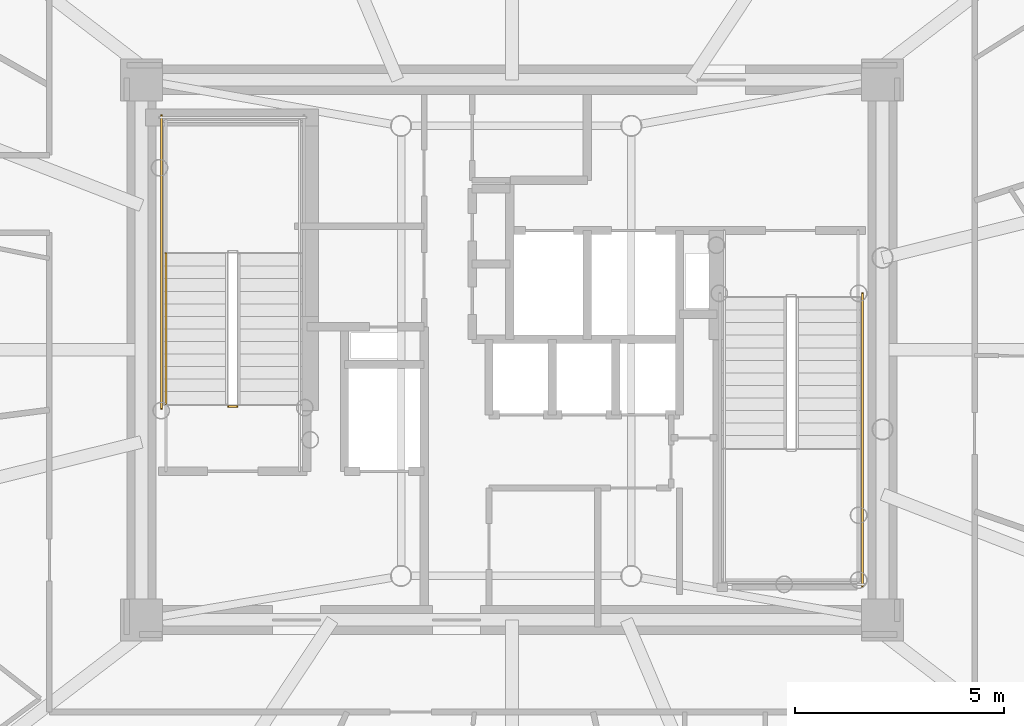
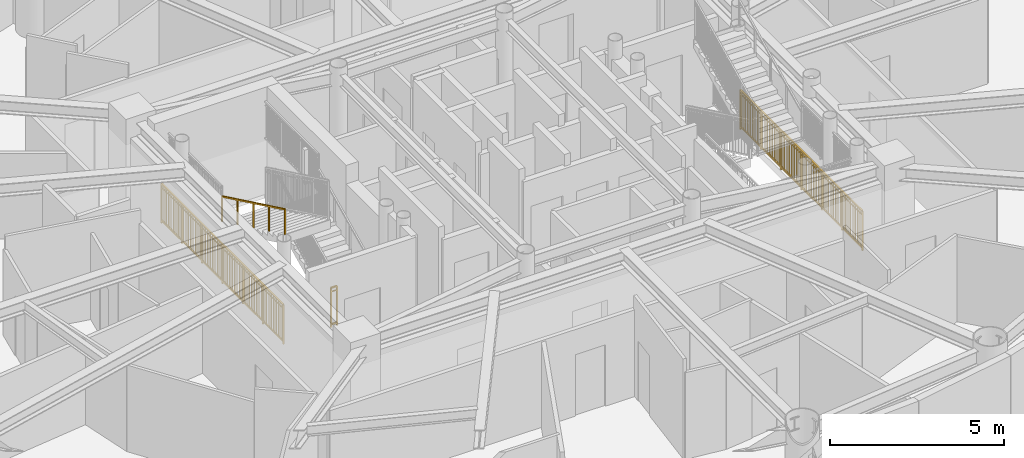
# One storey, part 12 of 17: 4 railings.
"""IFC4 building model written with IfcOpenShell, lengths in metres."""

from ifc_helpers import new_model, si_unit, direction, frame, origin, origin_2d, place, context, subcontext, project, spatial, rectangle, extrude, source, transform, mapped, material, type_object, element, save


model = new_model("IFC4")

# Units and contexts
model_context = context("Model", 3, precision=1e-05, world=origin(), true_north=direction((0.0, 1.0)))
body_context = subcontext(model_context, "Body", "Model", "MODEL_VIEW")
ifc_project = project(units=[si_unit("LENGTHUNIT", "METRE"), si_unit("AREAUNIT", "SQUARE_METRE"), si_unit("VOLUMEUNIT", "CUBIC_METRE"), si_unit("PLANEANGLEUNIT", "RADIAN"), si_unit("MASSUNIT", "GRAM", prefix="KILO")], contexts=[model_context])

# Site, building, storey
site_placement = place(None, origin())
site = spatial("IfcSite", under=ifc_project, at=site_placement, CompositionType="ELEMENT")
building_placement = place(site_placement, origin())
building = spatial("IfcBuilding", under=site, at=building_placement, Name="Linh Dai School and Residence Tower", CompositionType="ELEMENT")
storey_placement = place(building_placement, frame((0.0, 0.0, 303.0)))
storey = spatial("IfcBuildingStorey", under=building, at=storey_placement, Name="L75", CompositionType="ELEMENT", Elevation=303.0)

# Railings
ifc_material_1 = material(Name="Structural Steel S355JR", Category="steel")
railing_type_1 = type_object("IfcRailingType", Name="RL-ST-GUARD-1400", PredefinedType="GUARDRAIL", material=ifc_material_1)
shared_shape_1 = source(origin(), body_context, "Body", "SweptSolid", [
    extrude(rectangle(XDim=0.048095703125, YDim=0.048095703125, at=origin_2d()), frame((0.0, 0.0, 1.3759765625), z_axis=(-1.0, 0.0, 0.0), x_axis=(0.0, -1.0, 0.0)), (0.0, 0.0, 1.0), 0.199951171875),
    extrude(rectangle(XDim=0.048095703125, YDim=0.048095703125, at=origin_2d()), frame((0.0, 0.0, 0.10009765625), z_axis=(-1.0, 0.0, 0.0), x_axis=(0.0, -1.0, 0.0)), (0.0, 0.0, 1.0), 0.199951171875),
    extrude(rectangle(XDim=0.030029296875, YDim=0.030029296875, at=origin_2d()), frame((0.0, 0.0, 1.239990234375), z_axis=(-1.0, 0.0, 0.0), x_axis=(0.0, -1.0, 0.0)), (0.0, 0.0, 1.0), 0.199951171875),
    extrude(rectangle(XDim=0.0419921875, YDim=0.0419921875, at=origin_2d()), origin(), (0.0, 0.0, 1.0), 1.3759765625),
    extrude(rectangle(XDim=0.0419921875, YDim=0.0419921875, at=origin_2d()), frame((-0.199951171875, 0.0, 0.0)), (0.0, 0.0, 1.0), 1.3759765625),
])
railing_1_placement = place(storey_placement, frame((29.429931640625, 25.64990234375, 0.0)))
element("IfcRailing", 1, at=railing_1_placement, inside=storey, type_object=railing_type_1, Name="L75 ST1 stair guard 7", PredefinedType="GUARDRAIL", context=body_context, shape_type="MappedRepresentation", body=[
    mapped(shared_shape_1, transform((0.0, 0.0, 0.0), x_axis=(1.0, 0.0, 0.0), y_axis=(0.0, 1.0, 0.0), z_axis=(0.0, 0.0, 1.0), scale=1.0)),
])
shared_shape_2 = source(origin(), body_context, "Body", "SweptSolid", [
    extrude(rectangle(XDim=0.048095703125, YDim=0.048095703125, at=origin_2d()), frame((0.0, 0.0, 1.3759765625), z_axis=(0.0, 1.0, 0.0), x_axis=(-1.0, 0.0, 0.0)), (0.0, 0.0, 1.0), 7.0),
    extrude(rectangle(XDim=0.048095703125, YDim=0.048095703125, at=origin_2d()), frame((0.0, 0.0, 0.10009765625), z_axis=(0.0, 1.0, 0.0), x_axis=(-1.0, 0.0, 0.0)), (0.0, 0.0, 1.0), 7.0),
    extrude(rectangle(XDim=0.030029296875, YDim=0.030029296875, at=origin_2d()), frame((0.0, 0.0, 1.239990234375), z_axis=(0.0, 1.0, 0.0), x_axis=(-1.0, 0.0, 0.0)), (0.0, 0.0, 1.0), 7.0),
    extrude(rectangle(XDim=0.02001953125, YDim=0.02001953125, at=origin_2d()), frame((0.0, 0.09716796875, 0.10009765625)), (0.0, 0.0, 1.0), 1.251708984375),
    extrude(rectangle(XDim=0.02001953125, YDim=0.02001953125, at=origin_2d()), frame((0.0, 0.1943359375, 0.10009765625)), (0.0, 0.0, 1.0), 1.251708984375),
    extrude(rectangle(XDim=0.02001953125, YDim=0.02001953125, at=origin_2d()), frame((0.0, 0.291748046875, 0.10009765625)), (0.0, 0.0, 1.0), 1.251708984375),
    extrude(rectangle(XDim=0.02001953125, YDim=0.02001953125, at=origin_2d()), frame((0.0, 0.388916015625, 0.10009765625)), (0.0, 0.0, 1.0), 1.251708984375),
    extrude(rectangle(XDim=0.02001953125, YDim=0.02001953125, at=origin_2d()), frame((0.0, 0.486083984375, 0.10009765625)), (0.0, 0.0, 1.0), 1.251708984375),
    extrude(rectangle(XDim=0.02001953125, YDim=0.02001953125, at=origin_2d()), frame((0.0, 0.583251953125, 0.10009765625)), (0.0, 0.0, 1.0), 1.251708984375),
    extrude(rectangle(XDim=0.02001953125, YDim=0.02001953125, at=origin_2d()), frame((0.0, 0.6806640625, 0.10009765625)), (0.0, 0.0, 1.0), 1.251708984375),
    extrude(rectangle(XDim=0.02001953125, YDim=0.02001953125, at=origin_2d()), frame((0.0, 0.77783203125, 0.10009765625)), (0.0, 0.0, 1.0), 1.251708984375),
    extrude(rectangle(XDim=0.02001953125, YDim=0.02001953125, at=origin_2d()), frame((0.0, 0.875, 0.10009765625)), (0.0, 0.0, 1.0), 1.251708984375),
    extrude(rectangle(XDim=0.02001953125, YDim=0.02001953125, at=origin_2d()), frame((0.0, 0.97216796875, 0.10009765625)), (0.0, 0.0, 1.0), 1.251708984375),
    extrude(rectangle(XDim=0.02001953125, YDim=0.02001953125, at=origin_2d()), frame((0.0, 1.0693359375, 0.10009765625)), (0.0, 0.0, 1.0), 1.251708984375),
    extrude(rectangle(XDim=0.02001953125, YDim=0.02001953125, at=origin_2d()), frame((0.0, 1.263916015625, 0.10009765625)), (0.0, 0.0, 1.0), 1.251708984375),
    extrude(rectangle(XDim=0.02001953125, YDim=0.02001953125, at=origin_2d()), frame((0.0, 1.361083984375, 0.10009765625)), (0.0, 0.0, 1.0), 1.251708984375),
    extrude(rectangle(XDim=0.02001953125, YDim=0.02001953125, at=origin_2d()), frame((0.0, 1.458251953125, 0.10009765625)), (0.0, 0.0, 1.0), 1.251708984375),
    extrude(rectangle(XDim=0.02001953125, YDim=0.02001953125, at=origin_2d()), frame((0.0, 1.5556640625, 0.10009765625)), (0.0, 0.0, 1.0), 1.251708984375),
    extrude(rectangle(XDim=0.02001953125, YDim=0.02001953125, at=origin_2d()), frame((0.0, 1.65283203125, 0.10009765625)), (0.0, 0.0, 1.0), 1.251708984375),
    extrude(rectangle(XDim=0.02001953125, YDim=0.02001953125, at=origin_2d()), frame((0.0, 1.75, 0.10009765625)), (0.0, 0.0, 1.0), 1.251708984375),
    extrude(rectangle(XDim=0.02001953125, YDim=0.02001953125, at=origin_2d()), frame((0.0, 1.84716796875, 0.10009765625)), (0.0, 0.0, 1.0), 1.251708984375),
    extrude(rectangle(XDim=0.02001953125, YDim=0.02001953125, at=origin_2d()), frame((0.0, 1.9443359375, 0.10009765625)), (0.0, 0.0, 1.0), 1.251708984375),
    extrude(rectangle(XDim=0.02001953125, YDim=0.02001953125, at=origin_2d()), frame((0.0, 2.041748046875, 0.10009765625)), (0.0, 0.0, 1.0), 1.251708984375),
    extrude(rectangle(XDim=0.02001953125, YDim=0.02001953125, at=origin_2d()), frame((0.0, 2.138916015625, 0.10009765625)), (0.0, 0.0, 1.0), 1.251708984375),
    extrude(rectangle(XDim=0.02001953125, YDim=0.02001953125, at=origin_2d()), frame((0.0, 2.236083984375, 0.10009765625)), (0.0, 0.0, 1.0), 1.251708984375),
    extrude(rectangle(XDim=0.02001953125, YDim=0.02001953125, at=origin_2d()), frame((0.0, 2.4306640625, 0.10009765625)), (0.0, 0.0, 1.0), 1.251708984375),
    extrude(rectangle(XDim=0.02001953125, YDim=0.02001953125, at=origin_2d()), frame((0.0, 2.52783203125, 0.10009765625)), (0.0, 0.0, 1.0), 1.251708984375),
    extrude(rectangle(XDim=0.02001953125, YDim=0.02001953125, at=origin_2d()), frame((0.0, 2.625, 0.10009765625)), (0.0, 0.0, 1.0), 1.251708984375),
    extrude(rectangle(XDim=0.02001953125, YDim=0.02001953125, at=origin_2d()), frame((0.0, 2.72216796875, 0.10009765625)), (0.0, 0.0, 1.0), 1.251708984375),
    extrude(rectangle(XDim=0.02001953125, YDim=0.02001953125, at=origin_2d()), frame((0.0, 2.8193359375, 0.10009765625)), (0.0, 0.0, 1.0), 1.251708984375),
    extrude(rectangle(XDim=0.02001953125, YDim=0.02001953125, at=origin_2d()), frame((0.0, 2.916748046875, 0.10009765625)), (0.0, 0.0, 1.0), 1.251708984375),
    extrude(rectangle(XDim=0.02001953125, YDim=0.02001953125, at=origin_2d()), frame((0.0, 3.013916015625, 0.10009765625)), (0.0, 0.0, 1.0), 1.251708984375),
    extrude(rectangle(XDim=0.02001953125, YDim=0.02001953125, at=origin_2d()), frame((0.0, 3.111083984375, 0.10009765625)), (0.0, 0.0, 1.0), 1.251708984375),
    extrude(rectangle(XDim=0.02001953125, YDim=0.02001953125, at=origin_2d()), frame((0.0, 3.208251953125, 0.10009765625)), (0.0, 0.0, 1.0), 1.251708984375),
    extrude(rectangle(XDim=0.02001953125, YDim=0.02001953125, at=origin_2d()), frame((0.0, 3.3056640625, 0.10009765625)), (0.0, 0.0, 1.0), 1.251708984375),
    extrude(rectangle(XDim=0.02001953125, YDim=0.02001953125, at=origin_2d()), frame((0.0, 3.40283203125, 0.10009765625)), (0.0, 0.0, 1.0), 1.251708984375),
    extrude(rectangle(XDim=0.02001953125, YDim=0.02001953125, at=origin_2d()), frame((0.0, 3.59716796875, 0.10009765625)), (0.0, 0.0, 1.0), 1.251708984375),
    extrude(rectangle(XDim=0.02001953125, YDim=0.02001953125, at=origin_2d()), frame((0.0, 3.6943359375, 0.10009765625)), (0.0, 0.0, 1.0), 1.251708984375),
    extrude(rectangle(XDim=0.02001953125, YDim=0.02001953125, at=origin_2d()), frame((0.0, 3.791748046875, 0.10009765625)), (0.0, 0.0, 1.0), 1.251708984375),
    extrude(rectangle(XDim=0.02001953125, YDim=0.02001953125, at=origin_2d()), frame((0.0, 3.888916015625, 0.10009765625)), (0.0, 0.0, 1.0), 1.251708984375),
    extrude(rectangle(XDim=0.02001953125, YDim=0.02001953125, at=origin_2d()), frame((0.0, 3.986083984375, 0.10009765625)), (0.0, 0.0, 1.0), 1.251708984375),
    extrude(rectangle(XDim=0.02001953125, YDim=0.02001953125, at=origin_2d()), frame((0.0, 4.083251953125, 0.10009765625)), (0.0, 0.0, 1.0), 1.251708984375),
    extrude(rectangle(XDim=0.02001953125, YDim=0.02001953125, at=origin_2d()), frame((0.0, 4.1806640625, 0.10009765625)), (0.0, 0.0, 1.0), 1.251708984375),
    extrude(rectangle(XDim=0.02001953125, YDim=0.02001953125, at=origin_2d()), frame((0.0, 4.27783203125, 0.10009765625)), (0.0, 0.0, 1.0), 1.251708984375),
    extrude(rectangle(XDim=0.02001953125, YDim=0.02001953125, at=origin_2d()), frame((0.0, 4.375, 0.10009765625)), (0.0, 0.0, 1.0), 1.251708984375),
    extrude(rectangle(XDim=0.02001953125, YDim=0.02001953125, at=origin_2d()), frame((0.0, 4.47216796875, 0.10009765625)), (0.0, 0.0, 1.0), 1.251708984375),
    extrude(rectangle(XDim=0.02001953125, YDim=0.02001953125, at=origin_2d()), frame((0.0, 4.5693359375, 0.10009765625)), (0.0, 0.0, 1.0), 1.251708984375),
    extrude(rectangle(XDim=0.02001953125, YDim=0.02001953125, at=origin_2d()), frame((0.0, 4.763916015625, 0.10009765625)), (0.0, 0.0, 1.0), 1.251708984375),
    extrude(rectangle(XDim=0.02001953125, YDim=0.02001953125, at=origin_2d()), frame((0.0, 4.861083984375, 0.10009765625)), (0.0, 0.0, 1.0), 1.251708984375),
    extrude(rectangle(XDim=0.02001953125, YDim=0.02001953125, at=origin_2d()), frame((0.0, 4.958251953125, 0.10009765625)), (0.0, 0.0, 1.0), 1.251708984375),
    extrude(rectangle(XDim=0.02001953125, YDim=0.02001953125, at=origin_2d()), frame((0.0, 5.0556640625, 0.10009765625)), (0.0, 0.0, 1.0), 1.251708984375),
    extrude(rectangle(XDim=0.02001953125, YDim=0.02001953125, at=origin_2d()), frame((0.0, 5.15283203125, 0.10009765625)), (0.0, 0.0, 1.0), 1.251708984375),
    extrude(rectangle(XDim=0.02001953125, YDim=0.02001953125, at=origin_2d()), frame((0.0, 5.25, 0.10009765625)), (0.0, 0.0, 1.0), 1.251708984375),
    extrude(rectangle(XDim=0.02001953125, YDim=0.02001953125, at=origin_2d()), frame((0.0, 5.34716796875, 0.10009765625)), (0.0, 0.0, 1.0), 1.251708984375),
    extrude(rectangle(XDim=0.02001953125, YDim=0.02001953125, at=origin_2d()), frame((0.0, 5.4443359375, 0.10009765625)), (0.0, 0.0, 1.0), 1.251708984375),
    extrude(rectangle(XDim=0.02001953125, YDim=0.02001953125, at=origin_2d()), frame((0.0, 5.541748046875, 0.10009765625)), (0.0, 0.0, 1.0), 1.251708984375),
    extrude(rectangle(XDim=0.02001953125, YDim=0.02001953125, at=origin_2d()), frame((0.0, 5.638916015625, 0.10009765625)), (0.0, 0.0, 1.0), 1.251708984375),
    extrude(rectangle(XDim=0.02001953125, YDim=0.02001953125, at=origin_2d()), frame((0.0, 5.736083984375, 0.10009765625)), (0.0, 0.0, 1.0), 1.251708984375),
    extrude(rectangle(XDim=0.02001953125, YDim=0.02001953125, at=origin_2d()), frame((0.0, 5.9306640625, 0.10009765625)), (0.0, 0.0, 1.0), 1.251708984375),
    extrude(rectangle(XDim=0.02001953125, YDim=0.02001953125, at=origin_2d()), frame((0.0, 6.02783203125, 0.10009765625)), (0.0, 0.0, 1.0), 1.251708984375),
    extrude(rectangle(XDim=0.02001953125, YDim=0.02001953125, at=origin_2d()), frame((0.0, 6.125, 0.10009765625)), (0.0, 0.0, 1.0), 1.251708984375),
    extrude(rectangle(XDim=0.02001953125, YDim=0.02001953125, at=origin_2d()), frame((0.0, 6.22216796875, 0.10009765625)), (0.0, 0.0, 1.0), 1.251708984375),
    extrude(rectangle(XDim=0.02001953125, YDim=0.02001953125, at=origin_2d()), frame((0.0, 6.3193359375, 0.10009765625)), (0.0, 0.0, 1.0), 1.251708984375),
    extrude(rectangle(XDim=0.02001953125, YDim=0.02001953125, at=origin_2d()), frame((0.0, 6.416748046875, 0.10009765625)), (0.0, 0.0, 1.0), 1.251708984375),
    extrude(rectangle(XDim=0.02001953125, YDim=0.02001953125, at=origin_2d()), frame((0.0, 6.513916015625, 0.10009765625)), (0.0, 0.0, 1.0), 1.251708984375),
    extrude(rectangle(XDim=0.02001953125, YDim=0.02001953125, at=origin_2d()), frame((0.0, 6.611083984375, 0.10009765625)), (0.0, 0.0, 1.0), 1.251708984375),
    extrude(rectangle(XDim=0.02001953125, YDim=0.02001953125, at=origin_2d()), frame((0.0, 6.708251953125, 0.10009765625)), (0.0, 0.0, 1.0), 1.251708984375),
    extrude(rectangle(XDim=0.02001953125, YDim=0.02001953125, at=origin_2d()), frame((0.0, 6.8056640625, 0.10009765625)), (0.0, 0.0, 1.0), 1.251708984375),
    extrude(rectangle(XDim=0.02001953125, YDim=0.02001953125, at=origin_2d()), frame((0.0, 6.90283203125, 0.10009765625)), (0.0, 0.0, 1.0), 1.251708984375),
    extrude(rectangle(XDim=0.0419921875, YDim=0.0419921875, at=origin_2d()), origin(), (0.0, 0.0, 1.0), 1.3759765625),
    extrude(rectangle(XDim=0.0419921875, YDim=0.0419921875, at=origin_2d()), frame((0.0, 1.166748046875, 0.0)), (0.0, 0.0, 1.0), 1.3759765625),
    extrude(rectangle(XDim=0.0419921875, YDim=0.0419921875, at=origin_2d()), frame((0.0, 2.333251953125, 0.0)), (0.0, 0.0, 1.0), 1.3759765625),
    extrude(rectangle(XDim=0.0419921875, YDim=0.0419921875, at=origin_2d()), frame((0.0, 3.5, 0.0)), (0.0, 0.0, 1.0), 1.3759765625),
    extrude(rectangle(XDim=0.0419921875, YDim=0.0419921875, at=origin_2d()), frame((0.0, 4.666748046875, 0.0)), (0.0, 0.0, 1.0), 1.3759765625),
    extrude(rectangle(XDim=0.0419921875, YDim=0.0419921875, at=origin_2d()), frame((0.0, 5.833251953125, 0.0)), (0.0, 0.0, 1.0), 1.3759765625),
    extrude(rectangle(XDim=0.0419921875, YDim=0.0419921875, at=origin_2d()), frame((0.0, 7.0, 0.0)), (0.0, 0.0, 1.0), 1.3759765625),
])
railing_2_placement = place(storey_placement, frame((27.6298828125, 25.60009765625, 0.0)))
element("IfcRailing", 2, at=railing_2_placement, inside=storey, type_object=railing_type_1, Name="L75 ST1 stair guard 11", PredefinedType="GUARDRAIL", context=body_context, shape_type="MappedRepresentation", body=[
    mapped(shared_shape_2, transform((0.0, 0.0, 0.0), x_axis=(1.0, 0.0, 0.0), y_axis=(0.0, 1.0, 0.0), z_axis=(0.0, 0.0, 1.0), scale=1.0)),
])
ifc_material_2 = material(Name="Brushed Stainless Steel Handrail", Category="steel")
railing_type_2 = type_object("IfcRailingType", Name="RL-ST-HANDRAIL-900", PredefinedType="HANDRAIL", material=ifc_material_2)
shared_shape_3 = source(origin(), body_context, "Body", "SweptSolid", [
    extrude(rectangle(XDim=0.048095703125, YDim=0.048095703125, at=origin_2d()), frame((0.0, 0.0, 0.8759765625), z_axis=(0.0, -0.901262522062, 0.433273431364), x_axis=(1.0, 0.0, 0.0)), (0.0, 0.0, 1.0), 3.994384765625),
    extrude(rectangle(XDim=0.0419921875, YDim=0.0419921875, at=origin_2d()), origin(), (0.0, 0.0, 1.0), 0.8759765625),
    extrude(rectangle(XDim=0.0419921875, YDim=0.0419921875, at=origin_2d()), frame((0.0, -0.89990234375, 0.4326171875)), (0.0, 0.0, 1.0), 0.8759765625),
    extrude(rectangle(XDim=0.0419921875, YDim=0.0419921875, at=origin_2d()), frame((0.0, -1.800048828125, 0.865234375)), (0.0, 0.0, 1.0), 0.8759765625),
    extrude(rectangle(XDim=0.0419921875, YDim=0.0419921875, at=origin_2d()), frame((0.0, -2.7001953125, 1.298095703125)), (0.0, 0.0, 1.0), 0.8759765625),
    extrude(rectangle(XDim=0.0419921875, YDim=0.0419921875, at=origin_2d()), frame((0.0, -3.60009765625, 1.730712890625)), (0.0, 0.0, 1.0), 0.8759765625),
])
railing_3_placement = place(storey_placement, frame((27.72998046875, 29.300048828125, 2.019287109375)))
element("IfcRailing", 3, at=railing_3_placement, inside=storey, type_object=railing_type_2, Name="L75 ST1 stair handrail 2", PredefinedType="HANDRAIL", context=body_context, shape_type="MappedRepresentation", body=[
    mapped(shared_shape_3, transform((0.0, 0.0, 0.0), x_axis=(1.0, 0.0, 0.0), y_axis=(0.0, 1.0, 0.0), z_axis=(0.0, 0.0, 1.0), scale=1.0)),
])
shared_shape_4 = source(origin(), body_context, "Body", "SweptSolid", [
    extrude(rectangle(XDim=0.048095703125, YDim=0.048095703125, at=origin_2d()), frame((0.0, 0.0, 1.3759765625), z_axis=(0.0, -1.0, 0.0), x_axis=(1.0, 0.0, 0.0)), (0.0, 0.0, 1.0), 7.0),
    extrude(rectangle(XDim=0.048095703125, YDim=0.048095703125, at=origin_2d()), frame((0.0, 0.0, 0.10009765625), z_axis=(0.0, -1.0, 0.0), x_axis=(1.0, 0.0, 0.0)), (0.0, 0.0, 1.0), 7.0),
    extrude(rectangle(XDim=0.030029296875, YDim=0.030029296875, at=origin_2d()), frame((0.0, 0.0, 1.239990234375), z_axis=(0.0, -1.0, 0.0), x_axis=(1.0, 0.0, 0.0)), (0.0, 0.0, 1.0), 7.0),
    extrude(rectangle(XDim=0.02001953125, YDim=0.02001953125, at=origin_2d()), frame((0.0, -0.09716796875, 0.10009765625)), (0.0, 0.0, 1.0), 1.251708984375),
    extrude(rectangle(XDim=0.02001953125, YDim=0.02001953125, at=origin_2d()), frame((0.0, -0.1943359375, 0.10009765625)), (0.0, 0.0, 1.0), 1.251708984375),
    extrude(rectangle(XDim=0.02001953125, YDim=0.02001953125, at=origin_2d()), frame((0.0, -0.291748046875, 0.10009765625)), (0.0, 0.0, 1.0), 1.251708984375),
    extrude(rectangle(XDim=0.02001953125, YDim=0.02001953125, at=origin_2d()), frame((0.0, -0.388916015625, 0.10009765625)), (0.0, 0.0, 1.0), 1.251708984375),
    extrude(rectangle(XDim=0.02001953125, YDim=0.02001953125, at=origin_2d()), frame((0.0, -0.486083984375, 0.10009765625)), (0.0, 0.0, 1.0), 1.251708984375),
    extrude(rectangle(XDim=0.02001953125, YDim=0.02001953125, at=origin_2d()), frame((0.0, -0.583251953125, 0.10009765625)), (0.0, 0.0, 1.0), 1.251708984375),
    extrude(rectangle(XDim=0.02001953125, YDim=0.02001953125, at=origin_2d()), frame((0.0, -0.6806640625, 0.10009765625)), (0.0, 0.0, 1.0), 1.251708984375),
    extrude(rectangle(XDim=0.02001953125, YDim=0.02001953125, at=origin_2d()), frame((0.0, -0.77783203125, 0.10009765625)), (0.0, 0.0, 1.0), 1.251708984375),
    extrude(rectangle(XDim=0.02001953125, YDim=0.02001953125, at=origin_2d()), frame((0.0, -0.875, 0.10009765625)), (0.0, 0.0, 1.0), 1.251708984375),
    extrude(rectangle(XDim=0.02001953125, YDim=0.02001953125, at=origin_2d()), frame((0.0, -0.97216796875, 0.10009765625)), (0.0, 0.0, 1.0), 1.251708984375),
    extrude(rectangle(XDim=0.02001953125, YDim=0.02001953125, at=origin_2d()), frame((0.0, -1.0693359375, 0.10009765625)), (0.0, 0.0, 1.0), 1.251708984375),
    extrude(rectangle(XDim=0.02001953125, YDim=0.02001953125, at=origin_2d()), frame((0.0, -1.263916015625, 0.10009765625)), (0.0, 0.0, 1.0), 1.251708984375),
    extrude(rectangle(XDim=0.02001953125, YDim=0.02001953125, at=origin_2d()), frame((0.0, -1.361083984375, 0.10009765625)), (0.0, 0.0, 1.0), 1.251708984375),
    extrude(rectangle(XDim=0.02001953125, YDim=0.02001953125, at=origin_2d()), frame((0.0, -1.458251953125, 0.10009765625)), (0.0, 0.0, 1.0), 1.251708984375),
    extrude(rectangle(XDim=0.02001953125, YDim=0.02001953125, at=origin_2d()), frame((0.0, -1.5556640625, 0.10009765625)), (0.0, 0.0, 1.0), 1.251708984375),
    extrude(rectangle(XDim=0.02001953125, YDim=0.02001953125, at=origin_2d()), frame((0.0, -1.65283203125, 0.10009765625)), (0.0, 0.0, 1.0), 1.251708984375),
    extrude(rectangle(XDim=0.02001953125, YDim=0.02001953125, at=origin_2d()), frame((0.0, -1.75, 0.10009765625)), (0.0, 0.0, 1.0), 1.251708984375),
    extrude(rectangle(XDim=0.02001953125, YDim=0.02001953125, at=origin_2d()), frame((0.0, -1.84716796875, 0.10009765625)), (0.0, 0.0, 1.0), 1.251708984375),
    extrude(rectangle(XDim=0.02001953125, YDim=0.02001953125, at=origin_2d()), frame((0.0, -1.9443359375, 0.10009765625)), (0.0, 0.0, 1.0), 1.251708984375),
    extrude(rectangle(XDim=0.02001953125, YDim=0.02001953125, at=origin_2d()), frame((0.0, -2.041748046875, 0.10009765625)), (0.0, 0.0, 1.0), 1.251708984375),
    extrude(rectangle(XDim=0.02001953125, YDim=0.02001953125, at=origin_2d()), frame((0.0, -2.138916015625, 0.10009765625)), (0.0, 0.0, 1.0), 1.251708984375),
    extrude(rectangle(XDim=0.02001953125, YDim=0.02001953125, at=origin_2d()), frame((0.0, -2.236083984375, 0.10009765625)), (0.0, 0.0, 1.0), 1.251708984375),
    extrude(rectangle(XDim=0.02001953125, YDim=0.02001953125, at=origin_2d()), frame((0.0, -2.4306640625, 0.10009765625)), (0.0, 0.0, 1.0), 1.251708984375),
    extrude(rectangle(XDim=0.02001953125, YDim=0.02001953125, at=origin_2d()), frame((0.0, -2.52783203125, 0.10009765625)), (0.0, 0.0, 1.0), 1.251708984375),
    extrude(rectangle(XDim=0.02001953125, YDim=0.02001953125, at=origin_2d()), frame((0.0, -2.625, 0.10009765625)), (0.0, 0.0, 1.0), 1.251708984375),
    extrude(rectangle(XDim=0.02001953125, YDim=0.02001953125, at=origin_2d()), frame((0.0, -2.72216796875, 0.10009765625)), (0.0, 0.0, 1.0), 1.251708984375),
    extrude(rectangle(XDim=0.02001953125, YDim=0.02001953125, at=origin_2d()), frame((0.0, -2.8193359375, 0.10009765625)), (0.0, 0.0, 1.0), 1.251708984375),
    extrude(rectangle(XDim=0.02001953125, YDim=0.02001953125, at=origin_2d()), frame((0.0, -2.916748046875, 0.10009765625)), (0.0, 0.0, 1.0), 1.251708984375),
    extrude(rectangle(XDim=0.02001953125, YDim=0.02001953125, at=origin_2d()), frame((0.0, -3.013916015625, 0.10009765625)), (0.0, 0.0, 1.0), 1.251708984375),
    extrude(rectangle(XDim=0.02001953125, YDim=0.02001953125, at=origin_2d()), frame((0.0, -3.111083984375, 0.10009765625)), (0.0, 0.0, 1.0), 1.251708984375),
    extrude(rectangle(XDim=0.02001953125, YDim=0.02001953125, at=origin_2d()), frame((0.0, -3.208251953125, 0.10009765625)), (0.0, 0.0, 1.0), 1.251708984375),
    extrude(rectangle(XDim=0.02001953125, YDim=0.02001953125, at=origin_2d()), frame((0.0, -3.3056640625, 0.10009765625)), (0.0, 0.0, 1.0), 1.251708984375),
    extrude(rectangle(XDim=0.02001953125, YDim=0.02001953125, at=origin_2d()), frame((0.0, -3.40283203125, 0.10009765625)), (0.0, 0.0, 1.0), 1.251708984375),
    extrude(rectangle(XDim=0.02001953125, YDim=0.02001953125, at=origin_2d()), frame((0.0, -3.59716796875, 0.10009765625)), (0.0, 0.0, 1.0), 1.251708984375),
    extrude(rectangle(XDim=0.02001953125, YDim=0.02001953125, at=origin_2d()), frame((0.0, -3.6943359375, 0.10009765625)), (0.0, 0.0, 1.0), 1.251708984375),
    extrude(rectangle(XDim=0.02001953125, YDim=0.02001953125, at=origin_2d()), frame((0.0, -3.791748046875, 0.10009765625)), (0.0, 0.0, 1.0), 1.251708984375),
    extrude(rectangle(XDim=0.02001953125, YDim=0.02001953125, at=origin_2d()), frame((0.0, -3.888916015625, 0.10009765625)), (0.0, 0.0, 1.0), 1.251708984375),
    extrude(rectangle(XDim=0.02001953125, YDim=0.02001953125, at=origin_2d()), frame((0.0, -3.986083984375, 0.10009765625)), (0.0, 0.0, 1.0), 1.251708984375),
    extrude(rectangle(XDim=0.02001953125, YDim=0.02001953125, at=origin_2d()), frame((0.0, -4.083251953125, 0.10009765625)), (0.0, 0.0, 1.0), 1.251708984375),
    extrude(rectangle(XDim=0.02001953125, YDim=0.02001953125, at=origin_2d()), frame((0.0, -4.1806640625, 0.10009765625)), (0.0, 0.0, 1.0), 1.251708984375),
    extrude(rectangle(XDim=0.02001953125, YDim=0.02001953125, at=origin_2d()), frame((0.0, -4.27783203125, 0.10009765625)), (0.0, 0.0, 1.0), 1.251708984375),
    extrude(rectangle(XDim=0.02001953125, YDim=0.02001953125, at=origin_2d()), frame((0.0, -4.375, 0.10009765625)), (0.0, 0.0, 1.0), 1.251708984375),
    extrude(rectangle(XDim=0.02001953125, YDim=0.02001953125, at=origin_2d()), frame((0.0, -4.47216796875, 0.10009765625)), (0.0, 0.0, 1.0), 1.251708984375),
    extrude(rectangle(XDim=0.02001953125, YDim=0.02001953125, at=origin_2d()), frame((0.0, -4.5693359375, 0.10009765625)), (0.0, 0.0, 1.0), 1.251708984375),
    extrude(rectangle(XDim=0.02001953125, YDim=0.02001953125, at=origin_2d()), frame((0.0, -4.763916015625, 0.10009765625)), (0.0, 0.0, 1.0), 1.251708984375),
    extrude(rectangle(XDim=0.02001953125, YDim=0.02001953125, at=origin_2d()), frame((0.0, -4.861083984375, 0.10009765625)), (0.0, 0.0, 1.0), 1.251708984375),
    extrude(rectangle(XDim=0.02001953125, YDim=0.02001953125, at=origin_2d()), frame((0.0, -4.958251953125, 0.10009765625)), (0.0, 0.0, 1.0), 1.251708984375),
    extrude(rectangle(XDim=0.02001953125, YDim=0.02001953125, at=origin_2d()), frame((0.0, -5.0556640625, 0.10009765625)), (0.0, 0.0, 1.0), 1.251708984375),
    extrude(rectangle(XDim=0.02001953125, YDim=0.02001953125, at=origin_2d()), frame((0.0, -5.15283203125, 0.10009765625)), (0.0, 0.0, 1.0), 1.251708984375),
    extrude(rectangle(XDim=0.02001953125, YDim=0.02001953125, at=origin_2d()), frame((0.0, -5.25, 0.10009765625)), (0.0, 0.0, 1.0), 1.251708984375),
    extrude(rectangle(XDim=0.02001953125, YDim=0.02001953125, at=origin_2d()), frame((0.0, -5.34716796875, 0.10009765625)), (0.0, 0.0, 1.0), 1.251708984375),
    extrude(rectangle(XDim=0.02001953125, YDim=0.02001953125, at=origin_2d()), frame((0.0, -5.4443359375, 0.10009765625)), (0.0, 0.0, 1.0), 1.251708984375),
    extrude(rectangle(XDim=0.02001953125, YDim=0.02001953125, at=origin_2d()), frame((0.0, -5.541748046875, 0.10009765625)), (0.0, 0.0, 1.0), 1.251708984375),
    extrude(rectangle(XDim=0.02001953125, YDim=0.02001953125, at=origin_2d()), frame((0.0, -5.638916015625, 0.10009765625)), (0.0, 0.0, 1.0), 1.251708984375),
    extrude(rectangle(XDim=0.02001953125, YDim=0.02001953125, at=origin_2d()), frame((0.0, -5.736083984375, 0.10009765625)), (0.0, 0.0, 1.0), 1.251708984375),
    extrude(rectangle(XDim=0.02001953125, YDim=0.02001953125, at=origin_2d()), frame((0.0, -5.9306640625, 0.10009765625)), (0.0, 0.0, 1.0), 1.251708984375),
    extrude(rectangle(XDim=0.02001953125, YDim=0.02001953125, at=origin_2d()), frame((0.0, -6.02783203125, 0.10009765625)), (0.0, 0.0, 1.0), 1.251708984375),
    extrude(rectangle(XDim=0.02001953125, YDim=0.02001953125, at=origin_2d()), frame((0.0, -6.125, 0.10009765625)), (0.0, 0.0, 1.0), 1.251708984375),
    extrude(rectangle(XDim=0.02001953125, YDim=0.02001953125, at=origin_2d()), frame((0.0, -6.22216796875, 0.10009765625)), (0.0, 0.0, 1.0), 1.251708984375),
    extrude(rectangle(XDim=0.02001953125, YDim=0.02001953125, at=origin_2d()), frame((0.0, -6.3193359375, 0.10009765625)), (0.0, 0.0, 1.0), 1.251708984375),
    extrude(rectangle(XDim=0.02001953125, YDim=0.02001953125, at=origin_2d()), frame((0.0, -6.416748046875, 0.10009765625)), (0.0, 0.0, 1.0), 1.251708984375),
    extrude(rectangle(XDim=0.02001953125, YDim=0.02001953125, at=origin_2d()), frame((0.0, -6.513916015625, 0.10009765625)), (0.0, 0.0, 1.0), 1.251708984375),
    extrude(rectangle(XDim=0.02001953125, YDim=0.02001953125, at=origin_2d()), frame((0.0, -6.611083984375, 0.10009765625)), (0.0, 0.0, 1.0), 1.251708984375),
    extrude(rectangle(XDim=0.02001953125, YDim=0.02001953125, at=origin_2d()), frame((0.0, -6.708251953125, 0.10009765625)), (0.0, 0.0, 1.0), 1.251708984375),
    extrude(rectangle(XDim=0.02001953125, YDim=0.02001953125, at=origin_2d()), frame((0.0, -6.8056640625, 0.10009765625)), (0.0, 0.0, 1.0), 1.251708984375),
    extrude(rectangle(XDim=0.02001953125, YDim=0.02001953125, at=origin_2d()), frame((0.0, -6.90283203125, 0.10009765625)), (0.0, 0.0, 1.0), 1.251708984375),
    extrude(rectangle(XDim=0.0419921875, YDim=0.0419921875, at=origin_2d()), origin(), (0.0, 0.0, 1.0), 1.3759765625),
    extrude(rectangle(XDim=0.0419921875, YDim=0.0419921875, at=origin_2d()), frame((0.0, -1.166748046875, 0.0)), (0.0, 0.0, 1.0), 1.3759765625),
    extrude(rectangle(XDim=0.0419921875, YDim=0.0419921875, at=origin_2d()), frame((0.0, -2.333251953125, 0.0)), (0.0, 0.0, 1.0), 1.3759765625),
    extrude(rectangle(XDim=0.0419921875, YDim=0.0419921875, at=origin_2d()), frame((0.0, -3.5, 0.0)), (0.0, 0.0, 1.0), 1.3759765625),
    extrude(rectangle(XDim=0.0419921875, YDim=0.0419921875, at=origin_2d()), frame((0.0, -4.666748046875, 0.0)), (0.0, 0.0, 1.0), 1.3759765625),
    extrude(rectangle(XDim=0.0419921875, YDim=0.0419921875, at=origin_2d()), frame((0.0, -5.833251953125, 0.0)), (0.0, 0.0, 1.0), 1.3759765625),
    extrude(rectangle(XDim=0.0419921875, YDim=0.0419921875, at=origin_2d()), frame((0.0, -7.0, 0.0)), (0.0, 0.0, 1.0), 1.3759765625),
])
railing_4_placement = place(storey_placement, frame((44.3701171875, 28.35009765625, 0.0)))
element("IfcRailing", 4, at=railing_4_placement, inside=storey, type_object=railing_type_1, Name="L75 ST2 stair guard 11", PredefinedType="GUARDRAIL", context=body_context, shape_type="MappedRepresentation", body=[
    mapped(shared_shape_4, transform((0.0, 0.0, 0.0), x_axis=(1.0, 0.0, 0.0), y_axis=(0.0, 1.0, 0.0), z_axis=(0.0, 0.0, 1.0), scale=1.0)),
])

save(model, "model.ifc")
